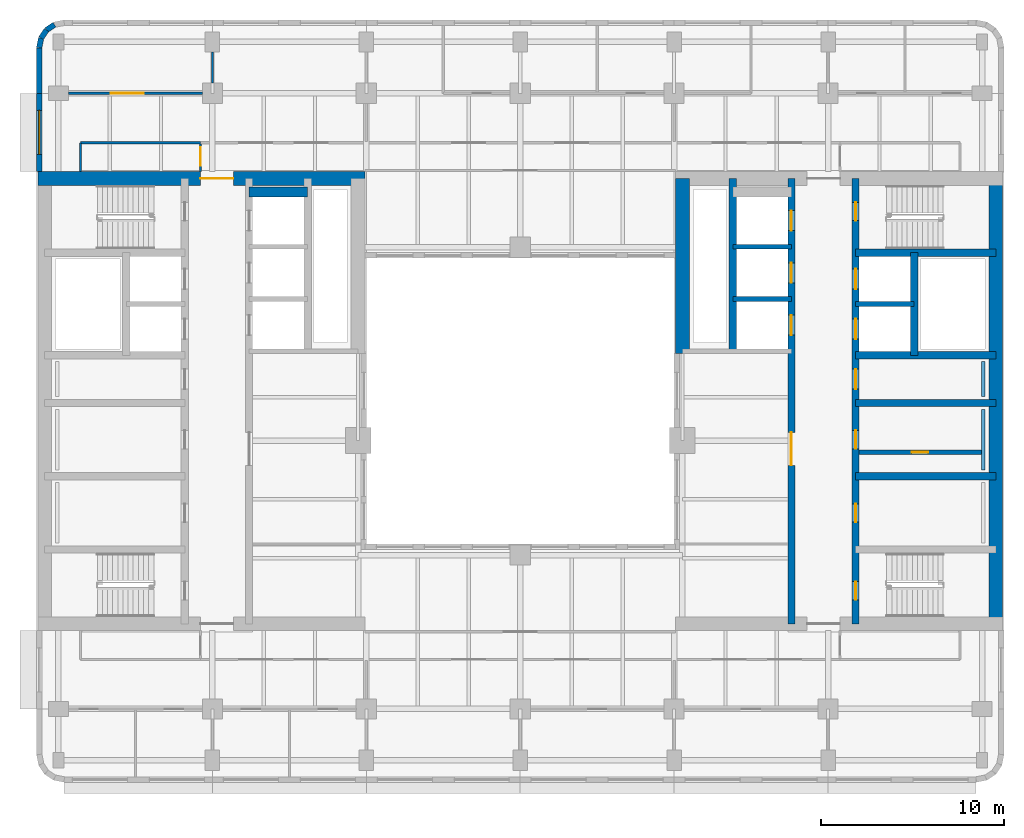
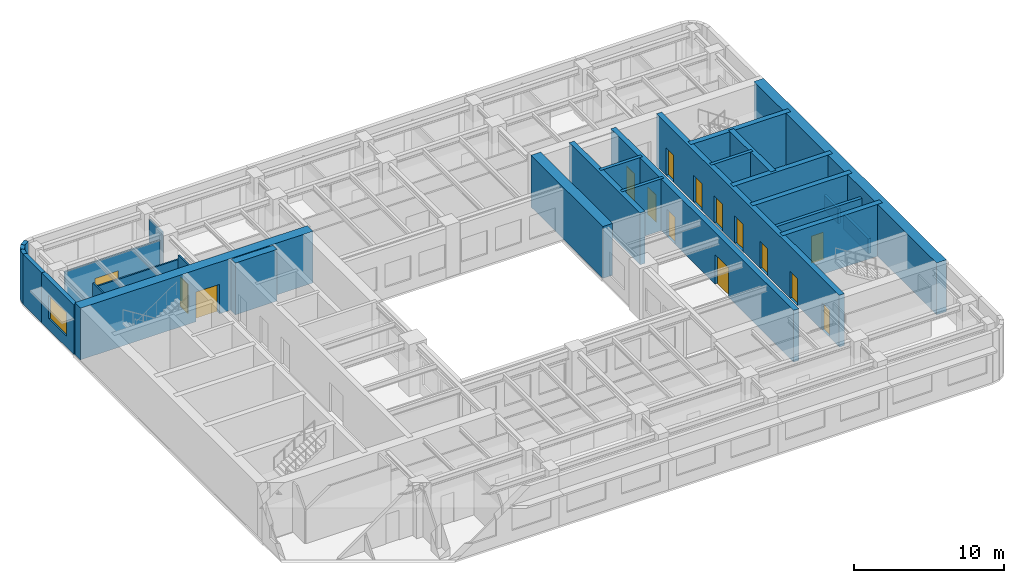
# One storey, part 6 of 11: 28 walls, 15 doors, 1 window, 16 openings.
"""IFC4 building model written with IfcOpenShell, lengths in metres."""

from ifc_helpers import new_model, si_unit, direction, frame, frame_2d, origin, place, context, subcontext, project, spatial, rectangle, extrude, material, layer, layer_set, type_object, element, fill, save


model = new_model("IFC4")

# Units and contexts
model_context = context("Model", 3, precision=1e-05, world=origin(), true_north=direction((0.0, 1.0)))
body_context = subcontext(model_context, "Body", "Model", "MODEL_VIEW")
ifc_project = project(units=[si_unit("LENGTHUNIT", "METRE"), si_unit("AREAUNIT", "SQUARE_METRE"), si_unit("VOLUMEUNIT", "CUBIC_METRE"), si_unit("PLANEANGLEUNIT", "RADIAN"), si_unit("MASSUNIT", "GRAM", prefix="KILO")], contexts=[model_context])

# Site, building, storey
site_placement = place(None, origin())
site = spatial("IfcSite", under=ifc_project, at=site_placement, CompositionType="ELEMENT")
building_placement = place(site_placement, origin())
building = spatial("IfcBuilding", under=site, at=building_placement, Name="Claustro Exchange Tower", CompositionType="ELEMENT")
storey_placement = place(building_placement, frame((0.0, 0.0, 202.800048828125)))
storey = spatial("IfcBuildingStorey", under=building, at=storey_placement, Name="L46", CompositionType="ELEMENT", Elevation=202.800048828125)

# Wall, opening, door
ifc_material_1 = material(Name="Laminated glass in aluminium frame", Category="aluminium")
ifc_layer_1 = layer(ifc_material_1, 0.1201171875)
ifc_layer_set_1 = layer_set([ifc_layer_1], Name="Laminated glass in aluminium frame")
wall_type_1 = type_object("IfcWallType", Name="P2 120 glazed partition", PredefinedType="PARTITIONING", material=ifc_layer_set_1)
wall_1_placement = place(storey_placement, frame((0.549072265625, 42.0, 0.0), z_axis=(0.0, 0.0, 1.0), x_axis=(1.0, 0.0, 0.0)))
wall_1 = element("IfcWall", 1, at=wall_1_placement, inside=storey, type_object=wall_type_1, Name="Partition P2 L46", PredefinedType="PARTITIONING", context=body_context, shape_type="SweptSolid", body=[
    extrude(rectangle(XDim=7.302001953125, YDim=0.1201171875, at=frame_2d((3.65087890625, 0.0))), origin(), (0.0, 0.0, 1.0), 3.550048828125),
])
opening_1_placement = place(wall_1_placement, frame((2.301025390625, 0.0, 0.0)))
opening_1 = element("IfcOpeningElement", 2, at=opening_1_placement, cuts=wall_1, Name="Opening D2", PredefinedType="OPENING", context=body_context, shape_type="SweptSolid", body=[
    extrude(rectangle(XDim=1.800048828125, YDim=2.199951171875, at=frame_2d((0.89990234375, 1.10009765625))), frame((0.0, 0.070068359375, 0.0), z_axis=(0.0, -1.0, 0.0), x_axis=(1.0, 0.0, 0.0)), (0.0, 0.0, 1.0), 0.14013671875),
])
ifc_material_2 = material(Name="Timber door, oak veneer", Category="wood")
door_type_1 = type_object("IfcDoorType", Name="D2 1800 x 2200 double door", OperationType="DOUBLE_DOOR_SINGLE_SWING", PredefinedType="DOOR", material=ifc_material_2)
door_1_placement = place(opening_1_placement, origin())
door_1 = element("IfcDoor", 3, at=door_1_placement, inside=storey, type_object=door_type_1, Name="Double door D2 L46", OperationType="DOUBLE_DOOR_SINGLE_SWING", OverallHeight=2.199951171875, OverallWidth=1.800048828125, PredefinedType="DOOR", context=body_context, shape_type="SweptSolid", body=[
    extrude(rectangle(XDim=1.800048828125, YDim=2.199951171875, at=frame_2d((0.89990234375, 1.10009765625))), frame((0.0, 0.02490234375, 0.0), z_axis=(0.0, -1.0, 0.0), x_axis=(1.0, 0.0, 0.0)), (0.0, 0.0, 1.0), 0.050048828125),
])
fill(opening_1, door_1)

# Wall
wall_2_placement = place(storey_placement, frame((8.39990234375, 42.549072265625, 0.0), z_axis=(0.0, 0.0, 1.0), x_axis=(0.0, 1.0, 0.0)))
element("IfcWall", 4, at=wall_2_placement, inside=storey, type_object=wall_type_1, Name="Partition P2 L46", PredefinedType="PARTITIONING", context=body_context, shape_type="SweptSolid", body=[
    extrude(rectangle(XDim=1.701904296875, YDim=0.1201171875, at=frame_2d((0.85107421875, 0.0))), origin(), (0.0, 0.0, 1.0), 3.68994140625),
])

# Wall, opening, door
wall_3_placement = place(storey_placement, frame((7.75, 37.72412109375, 0.0), z_axis=(0.0, 0.0, 1.0), x_axis=(0.0, 1.0, 0.0)))
wall_3 = element("IfcWall", 5, at=wall_3_placement, inside=storey, type_object=wall_type_1, Name="Partition P2 L46", PredefinedType="PARTITIONING", context=body_context, shape_type="SweptSolid", body=[
    extrude(rectangle(XDim=1.517822265625, YDim=0.1201171875, at=frame_2d((0.7587890625, 0.0))), origin(), (0.0, 0.0, 1.0), 4.050048828125),
])
opening_2_placement = place(wall_3_placement, frame((0.325927734375, 0.0, 0.0)))
opening_2 = element("IfcOpeningElement", 6, at=opening_2_placement, cuts=wall_3, Name="Opening D7", PredefinedType="OPENING", context=body_context, shape_type="SweptSolid", body=[
    extrude(rectangle(XDim=1.0, YDim=2.39990234375, at=frame_2d((0.5, 1.199951171875))), frame((0.0, 0.070068359375, 0.0), z_axis=(0.0, -1.0, 0.0), x_axis=(1.0, 0.0, 0.0)), (0.0, 0.0, 1.0), 0.14013671875),
])
ifc_material_3 = material(Name="Glass door in aluminium frame", Category="aluminium")
door_type_2 = type_object("IfcDoorType", Name="D7 1000 x 2400 glazed door", OperationType="SINGLE_SWING_LEFT", PredefinedType="DOOR", material=ifc_material_3)
door_2_placement = place(opening_2_placement, origin())
door_2 = element("IfcDoor", 7, at=door_2_placement, inside=storey, type_object=door_type_2, Name="Door D7 L46", OperationType="SINGLE_SWING_LEFT", OverallHeight=2.39990234375, OverallWidth=1.0, PredefinedType="DOOR", context=body_context, shape_type="SweptSolid", body=[
    extrude(rectangle(XDim=1.0, YDim=2.39990234375, at=frame_2d((0.5, 1.199951171875))), frame((0.0, 0.02490234375, 0.0), z_axis=(0.0, -1.0, 0.0), x_axis=(1.0, 0.0, 0.0)), (0.0, 0.0, 1.0), 0.050048828125),
])
fill(opening_2, door_2)

# Walls
wall_4_placement = place(storey_placement, frame((1.199951171875, 39.300048828125, 0.0), z_axis=(0.0, 0.0, 1.0), x_axis=(1.0, 0.0, 0.0)))
element("IfcWall", 8, at=wall_4_placement, inside=storey, type_object=wall_type_1, Name="Partition P2 L46", PredefinedType="PARTITIONING", context=body_context, shape_type="SweptSolid", body=[
    extrude(rectangle(XDim=6.552001953125, YDim=0.1201171875, at=frame_2d((3.27587890625, 0.0))), origin(), (0.0, 0.0, 1.0), 3.68994140625),
])
wall_5_placement = place(storey_placement, frame((1.199951171875, 37.72412109375, 0.0), z_axis=(0.0, 0.0, 1.0), x_axis=(0.0, 1.0, 0.0)))
element("IfcWall", 9, at=wall_5_placement, inside=storey, type_object=wall_type_1, Name="Partition P2 L46", PredefinedType="PARTITIONING", context=body_context, shape_type="SweptSolid", body=[
    extrude(rectangle(XDim=1.575927734375, YDim=0.1201171875, at=frame_2d((0.7880859375, 0.0))), origin(), (0.0, 0.0, 1.0), 4.050048828125),
])

# Wall, opening, door
ifc_material_4 = material(Name="Concrete blockwork, rendered", Category="masonry")
ifc_layer_2 = layer(ifc_material_4, 0.25)
ifc_layer_set_2 = layer_set([ifc_layer_2], Name="Concrete blockwork, rendered")
wall_type_2 = type_object("IfcWallType", Name="P4 250 blockwork wall", PredefinedType="PARTITIONING", material=ifc_layer_set_2)
wall_6_placement = place(storey_placement, frame((43.699951171875, 22.39990234375, 0.0), z_axis=(0.0, 0.0, 1.0), x_axis=(1.0, 0.0, 0.0)))
wall_6 = element("IfcWall", 10, at=wall_6_placement, inside=storey, type_object=wall_type_2, Name="Partition P4 L46", PredefinedType="PARTITIONING", context=body_context, shape_type="SweptSolid", body=[
    extrude(rectangle(XDim=6.675048828125, YDim=0.25, at=frame_2d((3.33740234375, 0.0))), origin(), (0.0, 0.0, 1.0), 4.0),
])
opening_3_placement = place(wall_6_placement, frame((2.862548828125, 0.0, 0.0)))
opening_3 = element("IfcOpeningElement", 11, at=opening_3_placement, cuts=wall_6, Name="Opening D5", PredefinedType="OPENING", context=body_context, shape_type="SweptSolid", body=[
    extrude(rectangle(XDim=0.89990234375, YDim=2.199951171875, at=frame_2d((0.449951171875, 1.10009765625))), frame((0.0, 0.135009765625, 0.0), z_axis=(0.0, -1.0, 0.0), x_axis=(1.0, 0.0, 0.0)), (0.0, 0.0, 1.0), 0.27001953125),
])
ifc_material_5 = material(Name="Steel door, painted", Category="steel")
door_type_3 = type_object("IfcDoorType", Name="D5 900 x 2200 store door", OperationType="SINGLE_SWING_LEFT", PredefinedType="DOOR", material=ifc_material_5)
door_3_placement = place(opening_3_placement, frame((0.89990234375, 0.0, 0.0), z_axis=(0.0, 0.0, 1.0), x_axis=(-1.0, 0.0, 0.0)))
door_3 = element("IfcDoor", 12, at=door_3_placement, inside=storey, type_object=door_type_3, Name="Store door D5 L46", OperationType="SINGLE_SWING_RIGHT", OverallHeight=2.199951171875, OverallWidth=0.89990234375, PredefinedType="DOOR", context=body_context, shape_type="SweptSolid", body=[
    extrude(rectangle(XDim=0.89990234375, YDim=2.199951171875, at=frame_2d((0.449951171875, 1.10009765625))), frame((0.0, 0.02490234375, 0.0), z_axis=(0.0, -1.0, 0.0), x_axis=(1.0, 0.0, 0.0)), (0.0, 0.0, 1.0), 0.050048828125),
])
fill(opening_3, door_3)

# Wall, opening, window
ifc_material_6 = material(Name="Concrete HA-40 (C40/50), precast, white cement, acid-etched", Category="concrete")
ifc_layer_3 = layer(ifc_material_6, 0.300048828125)
ifc_layer_set_3 = layer_set([ifc_layer_3], Name="Concrete HA-40 (C40/50), precast, white cement, acid-etched")
wall_type_3 = type_object("IfcWallType", Name="PC1 300 precast concrete pier panel", PredefinedType="SOLIDWALL", material=ifc_layer_set_3)
wall_7_placement = place(storey_placement, frame((-1.050048828125, 37.72509765625, 0.0), z_axis=(0.0, 0.0, 1.0), x_axis=(0.0, 1.0, 0.0)))
wall_7 = element("IfcWall", 13, at=wall_7_placement, inside=storey, type_object=wall_type_3, Name="Precast pier panel PC1 L46", PredefinedType="SOLIDWALL", context=body_context, shape_type="SweptSolid", body=[
    extrude(rectangle(XDim=4.27490234375, YDim=0.300048828125, at=frame_2d((2.137451171875, 0.0))), origin(), (0.0, 0.0, 1.0), 4.050048828125),
])
opening_4_placement = place(wall_7_placement, frame((0.9375, 0.0, 0.89990234375)))
opening_4 = element("IfcOpeningElement", 14, at=opening_4_placement, cuts=wall_7, Name="Opening W2", PredefinedType="OPENING", context=body_context, shape_type="SweptSolid", body=[
    extrude(rectangle(XDim=2.39990234375, YDim=1.89990234375, at=frame_2d((1.199951171875, 0.949951171875))), frame((0.0, 0.159912109375, 0.0), z_axis=(0.0, -1.0, 0.0), x_axis=(1.0, 0.0, 0.0)), (0.0, 0.0, 1.0), 0.320068359375),
])
ifc_material_7 = material(Name="Aluminium frame, clear double glazing", Category="aluminium")
window_type = type_object("IfcWindowType", Name="W2 2400 x 1900 window", PartitioningType="SINGLE_PANEL", PredefinedType="WINDOW", material=ifc_material_7)
window_placement = place(opening_4_placement, origin())
window = element("IfcWindow", 15, at=window_placement, inside=storey, type_object=window_type, Name="Window W2 L46", OverallHeight=1.89990234375, OverallWidth=2.39990234375, PartitioningType="SINGLE_PANEL", PredefinedType="WINDOW", context=body_context, shape_type="SweptSolid", body=[
    extrude(rectangle(XDim=2.39990234375, YDim=1.89990234375, at=frame_2d((1.199951171875, 0.949951171875))), frame((0.0, 0.030029296875, 0.0), z_axis=(0.0, -1.0, 0.0), x_axis=(1.0, 0.0, 0.0)), (0.0, 0.0, 1.0), 0.06005859375),
])
fill(opening_4, window)

# Walls
wall_8_placement = place(storey_placement, frame((-1.050048828125, 42.0, 0.0), z_axis=(0.0, 0.0, 1.0), x_axis=(0.0, 1.0, 0.0)))
element("IfcWall", 16, at=wall_8_placement, inside=storey, type_object=wall_type_3, Name="Precast pier panel PC1 L46", PredefinedType="SOLIDWALL", context=body_context, shape_type="SweptSolid", body=[
    extrude(rectangle(XDim=2.485107421875, YDim=0.300048828125, at=frame_2d((1.24267578125, 0.0))), origin(), (0.0, 0.0, 1.0), 4.050048828125),
])
wall_9_placement = place(storey_placement, frame((-1.050048828125, 44.485107421875, 0.0), z_axis=(0.0, 0.0, 1.0), x_axis=(0.195073962632, 0.980788534345, 0.0)))
element("IfcWall", 17, at=wall_9_placement, inside=storey, type_object=wall_type_3, Name="Precast pier panel PC1 L46", PredefinedType="SOLIDWALL", context=body_context, shape_type="SweptSolid", body=[
    extrude(rectangle(XDim=0.540771484375, YDim=0.300048828125, at=frame_2d((0.2705078125, 0.0))), origin(), (0.0, 0.0, 1.0), 4.050048828125),
])
wall_10_placement = place(storey_placement, frame((-0.944580078125, 45.015380859375, 0.0), z_axis=(0.0, 0.0, 1.0), x_axis=(0.55534295404, 0.831621430339, 0.0)))
element("IfcWall", 18, at=wall_10_placement, inside=storey, type_object=wall_type_3, Name="Precast pier panel PC1 L46", PredefinedType="SOLIDWALL", context=body_context, shape_type="SweptSolid", body=[
    extrude(rectangle(XDim=0.52587890625, YDim=0.300048828125, at=frame_2d((0.262939453125, 0.0))), origin(), (0.0, 0.0, 1.0), 4.050048828125),
])
wall_11_placement = place(storey_placement, frame((-0.652587890625, 45.45263671875, 0.0), z_axis=(0.0, 0.0, 1.0), x_axis=(0.831692711774, 0.555236195849, 0.0)))
element("IfcWall", 19, at=wall_11_placement, inside=storey, type_object=wall_type_3, Name="Precast pier panel PC1 L46", PredefinedType="SOLIDWALL", context=body_context, shape_type="SweptSolid", body=[
    extrude(rectangle(XDim=0.525390625, YDim=0.300048828125, at=frame_2d((0.2626953125, 0.0))), origin(), (0.0, 0.0, 1.0), 4.050048828125),
])
ifc_material_8 = material(Name="Gypsum board on steel studs, tiled", Category="steel")
ifc_layer_4 = layer(ifc_material_8, 0.199951171875)
ifc_layer_set_4 = layer_set([ifc_layer_4], Name="Gypsum board on steel studs, tiled")
wall_type_4 = type_object("IfcWallType", Name="PW1 200 WC duct wall", PredefinedType="PLUMBINGWALL", material=ifc_layer_set_4)
wall_12_placement = place(storey_placement, frame((50.47509765625, 21.449951171875, 0.0), z_axis=(0.0, 0.0, 1.0), x_axis=(0.0, 1.0, 0.0)))
element("IfcWall", 20, at=wall_12_placement, inside=storey, type_object=wall_type_4, Name="WC duct wall PW1 L46", PredefinedType="PLUMBINGWALL", context=body_context, shape_type="SweptSolid", body=[
    extrude(rectangle(XDim=3.300048828125, YDim=0.199951171875, at=frame_2d((1.64990234375, 0.0))), origin(), (0.0, 0.0, 1.0), 1.199951171875),
])
wall_13_placement = place(storey_placement, frame((50.47509765625, 25.449951171875, 0.0), z_axis=(0.0, 0.0, 1.0), x_axis=(0.0, 1.0, 0.0)))
element("IfcWall", 21, at=wall_13_placement, inside=storey, type_object=wall_type_4, Name="WC duct wall PW1 L46", PredefinedType="PLUMBINGWALL", context=body_context, shape_type="SweptSolid", body=[
    extrude(rectangle(XDim=1.900146484375, YDim=0.199951171875, at=frame_2d((0.9501953125, 0.0))), origin(), (0.0, 0.0, 1.0), 1.199951171875),
])

# Wall, opening, door
ifc_material_9 = material(Name="Concrete HA-70 (C70/85)", Category="concrete")
ifc_layer_5 = layer(ifc_material_9, 0.75)
ifc_layer_set_5 = layer_set([ifc_layer_5], Name="Concrete HA-70 (C70/85)")
wall_type_5 = type_object("IfcWallType", Name="SW2 750 core shear wall", PredefinedType="SHEAR", material=ifc_layer_set_5)
wall_14_placement = place(storey_placement, frame((-1.125, 37.35009765625, 0.0), z_axis=(0.0, 0.0, 1.0), x_axis=(1.0, 0.0, 0.0)))
wall_14 = element("IfcWall", 22, at=wall_14_placement, inside=storey, type_object=wall_type_5, Name="Core wall SW2 W core N face L46", PredefinedType="SHEAR", context=body_context, shape_type="SweptSolid", body=[
    extrude(rectangle(XDim=17.85009765625, YDim=0.75, at=frame_2d((8.925048828125, 0.0))), origin(), (0.0, 0.0, 1.0), 4.199951171875),
])
opening_5_placement = place(wall_14_placement, frame((8.875, 0.0, 0.0)))
opening_5 = element("IfcOpeningElement", 23, at=opening_5_placement, cuts=wall_14, Name="Opening D3", PredefinedType="OPENING", context=body_context, shape_type="SweptSolid", body=[
    extrude(rectangle(XDim=1.800048828125, YDim=2.39990234375, at=frame_2d((0.89990234375, 1.199951171875))), frame((0.0, 0.385009765625, 0.0), z_axis=(0.0, -1.0, 0.0), x_axis=(1.0, 0.0, 0.0)), (0.0, 0.0, 1.0), 0.77001953125),
])
ifc_material_10 = material(Name="Steel fire door, painted", Category="steel")
door_type_4 = type_object("IfcDoorType", Name="D3 1800 x 2400 fire-rated lobby double door", OperationType="DOUBLE_DOOR_SINGLE_SWING", PredefinedType="DOOR", material=ifc_material_10)
door_4_placement = place(opening_5_placement, frame((1.800048828125, 0.0, 0.0), z_axis=(0.0, 0.0, 1.0), x_axis=(-1.0, 0.0, 0.0)))
door_4 = element("IfcDoor", 24, at=door_4_placement, inside=storey, type_object=door_type_4, Name="Lift lobby door D3 L46", OperationType="DOUBLE_DOOR_SINGLE_SWING", OverallHeight=2.39990234375, OverallWidth=1.800048828125, PredefinedType="DOOR", context=body_context, shape_type="SweptSolid", body=[
    extrude(rectangle(XDim=1.800048828125, YDim=2.39990234375, at=frame_2d((0.89990234375, 1.199951171875))), frame((0.0, 0.02490234375, 0.0), z_axis=(0.0, -1.0, 0.0), x_axis=(1.0, 0.0, 0.0)), (0.0, 0.0, 1.0), 0.050048828125),
])
fill(opening_5, door_4)

# Walls
ifc_material_11 = material(Name="Concrete HA-70 (C70/85)", Category="concrete")
ifc_layer_6 = layer(ifc_material_11, 0.75)
ifc_layer_set_6 = layer_set([ifc_layer_6], Name="Concrete HA-70 (C70/85)")
wall_type_6 = type_object("IfcWallType", Name="SW2X 750 exposed core shear wall, board-marked face", PredefinedType="SHEAR", material=ifc_layer_set_6)
wall_15_placement = place(storey_placement, frame((34.050048828125, 27.800048828125, 0.0), z_axis=(0.0, 0.0, 1.0), x_axis=(0.0, 1.0, 0.0)))
element("IfcWall", 25, at=wall_15_placement, inside=storey, type_object=wall_type_6, Name="Core wall SW2X E core W face L46", PredefinedType="SHEAR", context=body_context, shape_type="SweptSolid", body=[
    extrude(rectangle(XDim=9.550048828125, YDim=0.75, at=frame_2d((4.77490234375, 0.0))), origin(), (0.0, 0.0, 1.0), 4.199951171875),
])
wall_16_placement = place(storey_placement, frame((51.14990234375, 13.050048828125, 0.0), z_axis=(0.0, 0.0, 1.0), x_axis=(0.0, 1.0, 0.0)))
element("IfcWall", 26, at=wall_16_placement, inside=storey, type_object=wall_type_6, Name="Core wall SW2X E core E face L46", PredefinedType="SHEAR", context=body_context, shape_type="SweptSolid", body=[
    extrude(rectangle(XDim=24.300048828125, YDim=0.75, at=frame_2d((12.14990234375, 0.0))), origin(), (0.0, 0.0, 1.0), 4.199951171875),
])

# Wall, openings, doors
ifc_material_12 = material(Name="Concrete HA-50 (C50/60)", Category="concrete")
ifc_layer_7 = layer(ifc_material_12, 0.39990234375)
ifc_layer_set_7 = layer_set([ifc_layer_7], Name="Concrete HA-50 (C50/60)")
wall_type_7 = type_object("IfcWallType", Name="SW4 400 internal core wall", PredefinedType="SHEAR", material=ifc_layer_set_7)
wall_17_placement = place(storey_placement, frame((43.5, 13.050048828125, 0.0), z_axis=(0.0, 0.0, 1.0), x_axis=(0.0, 1.0, 0.0)))
wall_17 = element("IfcWall", 27, at=wall_17_placement, inside=storey, type_object=wall_type_7, Name="Internal core wall SW4 E core L46", PredefinedType="SHEAR", context=body_context, shape_type="SweptSolid", body=[
    extrude(rectangle(XDim=24.300048828125, YDim=0.39990234375, at=frame_2d((12.14990234375, 0.0))), origin(), (0.0, 0.0, 1.0), 4.199951171875),
])
opening_6_placement = place(wall_17_placement, frame((1.300048828125, 0.0, 0.0)))
opening_6 = element("IfcOpeningElement", 28, at=opening_6_placement, cuts=wall_17, Name="Opening D4", PredefinedType="OPENING", context=body_context, shape_type="SweptSolid", body=[
    extrude(rectangle(XDim=1.0, YDim=2.199951171875, at=frame_2d((0.5, 1.10009765625))), frame((0.0, 0.2099609375, 0.0), z_axis=(0.0, -1.0, 0.0), x_axis=(1.0, 0.0, 0.0)), (0.0, 0.0, 1.0), 0.419921875),
])
opening_7_placement = place(wall_17_placement, frame((22.0, 0.0, 0.0)))
opening_7 = element("IfcOpeningElement", 29, at=opening_7_placement, cuts=wall_17, Name="Opening D4", PredefinedType="OPENING", context=body_context, shape_type="SweptSolid", body=[
    extrude(rectangle(XDim=1.0, YDim=2.199951171875, at=frame_2d((0.5, 1.10009765625))), frame((0.0, 0.2099609375, 0.0), z_axis=(0.0, -1.0, 0.0), x_axis=(1.0, 0.0, 0.0)), (0.0, 0.0, 1.0), 0.419921875),
])
opening_8_placement = place(wall_17_placement, frame((5.550048828125, 0.0, 0.0)))
opening_8 = element("IfcOpeningElement", 30, at=opening_8_placement, cuts=wall_17, Name="Opening D1", PredefinedType="OPENING", context=body_context, shape_type="SweptSolid", body=[
    extrude(rectangle(XDim=1.0, YDim=2.199951171875, at=frame_2d((0.5, 1.10009765625))), frame((0.0, 0.2099609375, 0.0), z_axis=(0.0, -1.0, 0.0), x_axis=(1.0, 0.0, 0.0)), (0.0, 0.0, 1.0), 0.419921875),
])
opening_9_placement = place(wall_17_placement, frame((9.550048828125, 0.0, 0.0)))
opening_9 = element("IfcOpeningElement", 31, at=opening_9_placement, cuts=wall_17, Name="Opening D1", PredefinedType="OPENING", context=body_context, shape_type="SweptSolid", body=[
    extrude(rectangle(XDim=1.0, YDim=2.199951171875, at=frame_2d((0.5, 1.10009765625))), frame((0.0, 0.2099609375, 0.0), z_axis=(0.0, -1.0, 0.0), x_axis=(1.0, 0.0, 0.0)), (0.0, 0.0, 1.0), 0.419921875),
])
opening_10_placement = place(wall_17_placement, frame((12.800048828125, 0.0, 0.0)))
opening_10 = element("IfcOpeningElement", 32, at=opening_10_placement, cuts=wall_17, Name="Opening D10", PredefinedType="OPENING", context=body_context, shape_type="SweptSolid", body=[
    extrude(rectangle(XDim=1.10009765625, YDim=2.199951171875, at=frame_2d((0.550048828125, 1.10009765625))), frame((0.0, 0.2099609375, 0.0), z_axis=(0.0, -1.0, 0.0), x_axis=(1.0, 0.0, 0.0)), (0.0, 0.0, 1.0), 0.419921875),
])
opening_11_placement = place(wall_17_placement, frame((15.53759765625, 0.0, 0.0)))
opening_11 = element("IfcOpeningElement", 33, at=opening_11_placement, cuts=wall_17, Name="Opening LD", PredefinedType="OPENING", context=body_context, shape_type="SweptSolid", body=[
    extrude(rectangle(XDim=1.10009765625, YDim=2.199951171875, at=frame_2d((0.550048828125, 1.10009765625))), frame((0.0, 0.2099609375, 0.0), z_axis=(0.0, -1.0, 0.0), x_axis=(1.0, 0.0, 0.0)), (0.0, 0.0, 1.0), 0.419921875),
])
opening_12_placement = place(wall_17_placement, frame((18.262451171875, 0.0, 0.0)))
opening_12 = element("IfcOpeningElement", 34, at=opening_12_placement, cuts=wall_17, Name="Opening LD", PredefinedType="OPENING", context=body_context, shape_type="SweptSolid", body=[
    extrude(rectangle(XDim=1.10009765625, YDim=2.199951171875, at=frame_2d((0.550048828125, 1.10009765625))), frame((0.0, 0.2099609375, 0.0), z_axis=(0.0, -1.0, 0.0), x_axis=(1.0, 0.0, 0.0)), (0.0, 0.0, 1.0), 0.419921875),
])
ifc_material_13 = material(Name="Timber door, oak veneer", Category="wood")
door_type_5 = type_object("IfcDoorType", Name="D1 1000 x 2200 single door", OperationType="SINGLE_SWING_LEFT", PredefinedType="DOOR", material=ifc_material_13)
door_5_placement = place(opening_8_placement, frame((1.0, 0.0, 0.0), z_axis=(0.0, 0.0, 1.0), x_axis=(-1.0, 0.0, 0.0)))
door_5 = element("IfcDoor", 35, at=door_5_placement, inside=storey, type_object=door_type_5, Name="Door D1 L46", OperationType="SINGLE_SWING_LEFT", OverallHeight=2.199951171875, OverallWidth=1.0, PredefinedType="DOOR", context=body_context, shape_type="SweptSolid", body=[
    extrude(rectangle(XDim=1.0, YDim=2.199951171875, at=frame_2d((0.5, 1.10009765625))), frame((0.0, 0.02490234375, 0.0), z_axis=(0.0, -1.0, 0.0), x_axis=(1.0, 0.0, 0.0)), (0.0, 0.0, 1.0), 0.050048828125),
])
fill(opening_8, door_5)
door_6_placement = place(opening_9_placement, frame((1.0, 0.0, 0.0), z_axis=(0.0, 0.0, 1.0), x_axis=(-1.0, 0.0, 0.0)))
door_6 = element("IfcDoor", 36, at=door_6_placement, inside=storey, type_object=door_type_5, Name="Door D1 L46", OperationType="SINGLE_SWING_RIGHT", OverallHeight=2.199951171875, OverallWidth=1.0, PredefinedType="DOOR", context=body_context, shape_type="SweptSolid", body=[
    extrude(rectangle(XDim=1.0, YDim=2.199951171875, at=frame_2d((0.5, 1.10009765625))), frame((0.0, 0.02490234375, 0.0), z_axis=(0.0, -1.0, 0.0), x_axis=(1.0, 0.0, 0.0)), (0.0, 0.0, 1.0), 0.050048828125),
])
fill(opening_9, door_6)
ifc_material_14 = material(Name="Timber door, oak veneer", Category="wood")
door_type_6 = type_object("IfcDoorType", Name="D10 1100 x 2200 accessible WC door", OperationType="SINGLE_SWING_LEFT", PredefinedType="DOOR", material=ifc_material_14)
door_7_placement = place(opening_10_placement, origin())
door_7 = element("IfcDoor", 37, at=door_7_placement, inside=storey, type_object=door_type_6, Name="Accessible WC door D10 L46", OperationType="SINGLE_SWING_RIGHT", OverallHeight=2.199951171875, OverallWidth=1.10009765625, PredefinedType="DOOR", context=body_context, shape_type="SweptSolid", body=[
    extrude(rectangle(XDim=1.10009765625, YDim=2.199951171875, at=frame_2d((0.550048828125, 1.10009765625))), frame((0.0, 0.02490234375, 0.0), z_axis=(0.0, -1.0, 0.0), x_axis=(1.0, 0.0, 0.0)), (0.0, 0.0, 1.0), 0.050048828125),
])
fill(opening_10, door_7)
ifc_material_15 = material(Name="Steel fire door, painted", Category="steel")
door_type_7 = type_object("IfcDoorType", Name="D4 1000 x 2200 fire-rated stair door", OperationType="SINGLE_SWING_LEFT", PredefinedType="DOOR", material=ifc_material_15)
door_8_placement = place(opening_6_placement, frame((1.0, 0.0, 0.0), z_axis=(0.0, 0.0, 1.0), x_axis=(-1.0, 0.0, 0.0)))
door_8 = element("IfcDoor", 38, at=door_8_placement, inside=storey, type_object=door_type_7, Name="Stair door D4 L46", OperationType="SINGLE_SWING_RIGHT", OverallHeight=2.199951171875, OverallWidth=1.0, PredefinedType="DOOR", context=body_context, shape_type="SweptSolid", body=[
    extrude(rectangle(XDim=1.0, YDim=2.199951171875, at=frame_2d((0.5, 1.10009765625))), frame((0.0, 0.02490234375, 0.0), z_axis=(0.0, -1.0, 0.0), x_axis=(1.0, 0.0, 0.0)), (0.0, 0.0, 1.0), 0.050048828125),
])
fill(opening_6, door_8)
door_9_placement = place(opening_7_placement, frame((1.0, 0.0, 0.0), z_axis=(0.0, 0.0, 1.0), x_axis=(-1.0, 0.0, 0.0)))
door_9 = element("IfcDoor", 39, at=door_9_placement, inside=storey, type_object=door_type_7, Name="Stair door D4 L46", OperationType="SINGLE_SWING_LEFT", OverallHeight=2.199951171875, OverallWidth=1.0, PredefinedType="DOOR", context=body_context, shape_type="SweptSolid", body=[
    extrude(rectangle(XDim=1.0, YDim=2.199951171875, at=frame_2d((0.5, 1.10009765625))), frame((0.0, 0.02490234375, 0.0), z_axis=(0.0, -1.0, 0.0), x_axis=(1.0, 0.0, 0.0)), (0.0, 0.0, 1.0), 0.050048828125),
])
fill(opening_7, door_9)
ifc_material_16 = material(Name="Stainless steel sliding door", Category="steel")
door_type_8 = type_object("IfcDoorType", Name="LD 1100 x 2200 lift landing door", OperationType="DOUBLE_DOOR_SLIDING", PredefinedType="DOOR", material=ifc_material_16)
door_10_placement = place(opening_11_placement, origin())
door_10 = element("IfcDoor", 40, at=door_10_placement, inside=storey, type_object=door_type_8, Name="Lift landing door LEE1 LD L46", OperationType="DOUBLE_DOOR_SLIDING", OverallHeight=2.199951171875, OverallWidth=1.10009765625, PredefinedType="DOOR", context=body_context, shape_type="SweptSolid", body=[
    extrude(rectangle(XDim=1.10009765625, YDim=2.199951171875, at=frame_2d((0.550048828125, 1.10009765625))), frame((0.0, 0.02490234375, 0.0), z_axis=(0.0, -1.0, 0.0), x_axis=(1.0, 0.0, 0.0)), (0.0, 0.0, 1.0), 0.050048828125),
])
fill(opening_11, door_10)
door_11_placement = place(opening_12_placement, origin())
door_11 = element("IfcDoor", 41, at=door_11_placement, inside=storey, type_object=door_type_8, Name="Lift landing door LEE2 LD L46", OperationType="DOUBLE_DOOR_SLIDING", OverallHeight=2.199951171875, OverallWidth=1.10009765625, PredefinedType="DOOR", context=body_context, shape_type="SweptSolid", body=[
    extrude(rectangle(XDim=1.10009765625, YDim=2.199951171875, at=frame_2d((0.550048828125, 1.10009765625))), frame((0.0, 0.02490234375, 0.0), z_axis=(0.0, -1.0, 0.0), x_axis=(1.0, 0.0, 0.0)), (0.0, 0.0, 1.0), 0.050048828125),
])
fill(opening_12, door_11)

wall_18_placement = place(storey_placement, frame((40.0, 13.050048828125, 0.0), z_axis=(0.0, 0.0, 1.0), x_axis=(0.0, 1.0, 0.0)))
wall_18 = element("IfcWall", 42, at=wall_18_placement, inside=storey, type_object=wall_type_7, Name="Internal core wall SW4 E core L46", PredefinedType="SHEAR", context=body_context, shape_type="SweptSolid", body=[
    extrude(rectangle(XDim=24.300048828125, YDim=0.39990234375, at=frame_2d((12.14990234375, 0.0))), origin(), (0.0, 0.0, 1.0), 4.199951171875),
])
opening_13_placement = place(wall_18_placement, frame((15.75, 0.0, 0.0)))
opening_13 = element("IfcOpeningElement", 43, at=opening_13_placement, cuts=wall_18, Name="Opening LD", PredefinedType="OPENING", context=body_context, shape_type="SweptSolid", body=[
    extrude(rectangle(XDim=1.10009765625, YDim=2.199951171875, at=frame_2d((0.550048828125, 1.10009765625))), frame((0.0, 0.2099609375, 0.0), z_axis=(0.0, -1.0, 0.0), x_axis=(1.0, 0.0, 0.0)), (0.0, 0.0, 1.0), 0.419921875),
])
opening_14_placement = place(wall_18_placement, frame((18.60009765625, 0.0, 0.0)))
opening_14 = element("IfcOpeningElement", 44, at=opening_14_placement, cuts=wall_18, Name="Opening LD", PredefinedType="OPENING", context=body_context, shape_type="SweptSolid", body=[
    extrude(rectangle(XDim=1.10009765625, YDim=2.199951171875, at=frame_2d((0.550048828125, 1.10009765625))), frame((0.0, 0.2099609375, 0.0), z_axis=(0.0, -1.0, 0.0), x_axis=(1.0, 0.0, 0.0)), (0.0, 0.0, 1.0), 0.419921875),
])
opening_15_placement = place(wall_18_placement, frame((21.449951171875, 0.0, 0.0)))
opening_15 = element("IfcOpeningElement", 45, at=opening_15_placement, cuts=wall_18, Name="Opening LD", PredefinedType="OPENING", context=body_context, shape_type="SweptSolid", body=[
    extrude(rectangle(XDim=1.10009765625, YDim=2.199951171875, at=frame_2d((0.550048828125, 1.10009765625))), frame((0.0, 0.2099609375, 0.0), z_axis=(0.0, -1.0, 0.0), x_axis=(1.0, 0.0, 0.0)), (0.0, 0.0, 1.0), 0.419921875),
])
opening_16_placement = place(wall_18_placement, frame((8.64990234375, 0.0, 0.0)))
opening_16 = element("IfcOpeningElement", 46, at=opening_16_placement, cuts=wall_18, Name="Opening D3", PredefinedType="OPENING", context=body_context, shape_type="SweptSolid", body=[
    extrude(rectangle(XDim=1.800048828125, YDim=2.39990234375, at=frame_2d((0.89990234375, 1.199951171875))), frame((0.0, 0.2099609375, 0.0), z_axis=(0.0, -1.0, 0.0), x_axis=(1.0, 0.0, 0.0)), (0.0, 0.0, 1.0), 0.419921875),
])
door_12_placement = place(opening_16_placement, origin())
door_12 = element("IfcDoor", 47, at=door_12_placement, inside=storey, type_object=door_type_4, Name="Core zone door D3 L46", OperationType="DOUBLE_DOOR_SINGLE_SWING", OverallHeight=2.39990234375, OverallWidth=1.800048828125, PredefinedType="DOOR", context=body_context, shape_type="SweptSolid", body=[
    extrude(rectangle(XDim=1.800048828125, YDim=2.39990234375, at=frame_2d((0.89990234375, 1.199951171875))), frame((0.0, 0.02490234375, 0.0), z_axis=(0.0, -1.0, 0.0), x_axis=(1.0, 0.0, 0.0)), (0.0, 0.0, 1.0), 0.050048828125),
])
fill(opening_16, door_12)
door_13_placement = place(opening_13_placement, origin())
door_13 = element("IfcDoor", 48, at=door_13_placement, inside=storey, type_object=door_type_8, Name="Lift landing door LHE1 LD L46", OperationType="DOUBLE_DOOR_SLIDING", OverallHeight=2.199951171875, OverallWidth=1.10009765625, PredefinedType="DOOR", context=body_context, shape_type="SweptSolid", body=[
    extrude(rectangle(XDim=1.10009765625, YDim=2.199951171875, at=frame_2d((0.550048828125, 1.10009765625))), frame((0.0, 0.02490234375, 0.0), z_axis=(0.0, -1.0, 0.0), x_axis=(1.0, 0.0, 0.0)), (0.0, 0.0, 1.0), 0.050048828125),
])
fill(opening_13, door_13)
door_14_placement = place(opening_14_placement, origin())
door_14 = element("IfcDoor", 49, at=door_14_placement, inside=storey, type_object=door_type_8, Name="Lift landing door LHE2 LD L46", OperationType="DOUBLE_DOOR_SLIDING", OverallHeight=2.199951171875, OverallWidth=1.10009765625, PredefinedType="DOOR", context=body_context, shape_type="SweptSolid", body=[
    extrude(rectangle(XDim=1.10009765625, YDim=2.199951171875, at=frame_2d((0.550048828125, 1.10009765625))), frame((0.0, 0.02490234375, 0.0), z_axis=(0.0, -1.0, 0.0), x_axis=(1.0, 0.0, 0.0)), (0.0, 0.0, 1.0), 0.050048828125),
])
fill(opening_14, door_14)
door_15_placement = place(opening_15_placement, origin())
door_15 = element("IfcDoor", 50, at=door_15_placement, inside=storey, type_object=door_type_8, Name="Lift landing door LSE1 LD L46", OperationType="DOUBLE_DOOR_SLIDING", OverallHeight=2.199951171875, OverallWidth=1.10009765625, PredefinedType="DOOR", context=body_context, shape_type="SweptSolid", body=[
    extrude(rectangle(XDim=1.10009765625, YDim=2.199951171875, at=frame_2d((0.550048828125, 1.10009765625))), frame((0.0, 0.02490234375, 0.0), z_axis=(0.0, -1.0, 0.0), x_axis=(1.0, 0.0, 0.0)), (0.0, 0.0, 1.0), 0.050048828125),
])
fill(opening_15, door_15)

# Walls
wall_19_placement = place(storey_placement, frame((36.800048828125, 27.925048828125, 0.0), z_axis=(0.0, 0.0, 1.0), x_axis=(0.0, 1.0, 0.0)))
element("IfcWall", 51, at=wall_19_placement, inside=storey, type_object=wall_type_7, Name="Internal core wall SW4 E core L46", PredefinedType="SHEAR", context=body_context, shape_type="SweptSolid", body=[
    extrude(rectangle(XDim=9.425048828125, YDim=0.39990234375, at=frame_2d((4.71240234375, 0.0))), origin(), (0.0, 0.0, 1.0), 4.199951171875),
])
for number, where, z_axis, x_axis, name in (
    (52, (51.14990234375, 21.10009765625, 0.0), (0.0, 0.0, 1.0), (-1.0, 0.0, 0.0), "Internal core wall SW4 E core L46"),
    (53, (51.14990234375, 25.10009765625, 0.0), (0.0, 0.0, 1.0), (-1.0, 0.0, 0.0), "Internal core wall SW4 E core L46"),
    (54, (51.14990234375, 27.699951171875, 0.0), (0.0, 0.0, 1.0), (-1.0, 0.0, 0.0), "Internal core wall SW4 E core L46"),
    (55, (51.14990234375, 33.300048828125, 0.0), (0.0, 0.0, 1.0), (-1.0, 0.0, 0.0), "Internal core wall SW4 E core L46"),
):
    element("IfcWall", number, at=place(storey_placement, frame(where, z_axis=z_axis, x_axis=x_axis)), inside=storey, type_object=wall_type_7, Name=name, PredefinedType="SHEAR", context=body_context, shape_type="SweptSolid", body=[
        extrude(rectangle(XDim=7.64990234375, YDim=0.39990234375, at=frame_2d((3.824951171875, 0.0))), origin(), (0.0, 0.0, 1.0), 4.199951171875),
    ])
wall_20_placement = place(storey_placement, frame((46.699951171875, 27.699951171875, 0.0), z_axis=(0.0, 0.0, 1.0), x_axis=(0.0, 1.0, 0.0)))
element("IfcWall", 56, at=wall_20_placement, inside=storey, type_object=wall_type_7, Name="Internal core wall SW4 E core L46", PredefinedType="SHEAR", context=body_context, shape_type="SweptSolid", body=[
    extrude(rectangle(XDim=5.60009765625, YDim=0.39990234375, at=frame_2d((2.800048828125, 0.0))), origin(), (0.0, 0.0, 1.0), 4.199951171875),
])
ifc_material_17 = material(Name="Concrete HA-50 (C50/60)", Category="concrete")
ifc_layer_8 = layer(ifc_material_17, 0.25)
ifc_layer_set_8 = layer_set([ifc_layer_8], Name="Concrete HA-50 (C50/60)")
wall_type_8 = type_object("IfcWallType", Name="SW5 250 lift shaft divider wall", PredefinedType="SHEAR", material=ifc_layer_set_8)
for number, where, z_axis, x_axis, name in (
    (57, (46.699951171875, 30.5, 0.0), (0.0, 0.0, 1.0), (-1.0, 0.0, 0.0), "Lift shaft wall E core L46"),
    (58, (40.0, 30.77490234375, 0.0), (0.0, 0.0, 1.0), (-1.0, 0.0, 0.0), "Lift shaft wall E core L46"),
    (59, (40.0, 33.625, 0.0), (0.0, 0.0, 1.0), (-1.0, 0.0, 0.0), "Lift shaft wall E core L46"),
):
    element("IfcWall", number, at=place(storey_placement, frame(where, z_axis=z_axis, x_axis=x_axis)), inside=storey, type_object=wall_type_8, Name=name, PredefinedType="SHEAR", context=body_context, shape_type="SweptSolid", body=[
        extrude(rectangle(XDim=3.199951171875, YDim=0.25, at=frame_2d((1.60009765625, 0.0))), origin(), (0.0, 0.0, 1.0), 4.199951171875),
    ])
ifc_material_18 = material(Name="Concrete HA-50 (C50/60)", Category="concrete")
ifc_layer_9 = layer(ifc_material_18, 0.550048828125)
ifc_layer_set_9 = layer_set([ifc_layer_9], Name="Concrete HA-50 (C50/60)")
wall_type_9 = type_object("IfcWallType", Name="SW6 550 lift shaft end wall", PredefinedType="SHEAR", material=ifc_layer_set_9)
wall_21_placement = place(storey_placement, frame((10.39990234375, 36.625, 0.0), z_axis=(0.0, 0.0, 1.0), x_axis=(1.0, 0.0, 0.0)))
element("IfcWall", 60, at=wall_21_placement, inside=storey, type_object=wall_type_9, Name="Lift shaft wall W core L46", PredefinedType="SHEAR", context=body_context, shape_type="SweptSolid", body=[
    extrude(rectangle(XDim=3.2001953125, YDim=0.550048828125, at=frame_2d((1.60009765625, 0.0))), origin(), (0.0, 0.0, 1.0), 4.199951171875),
])

save(model, "model.ifc")
